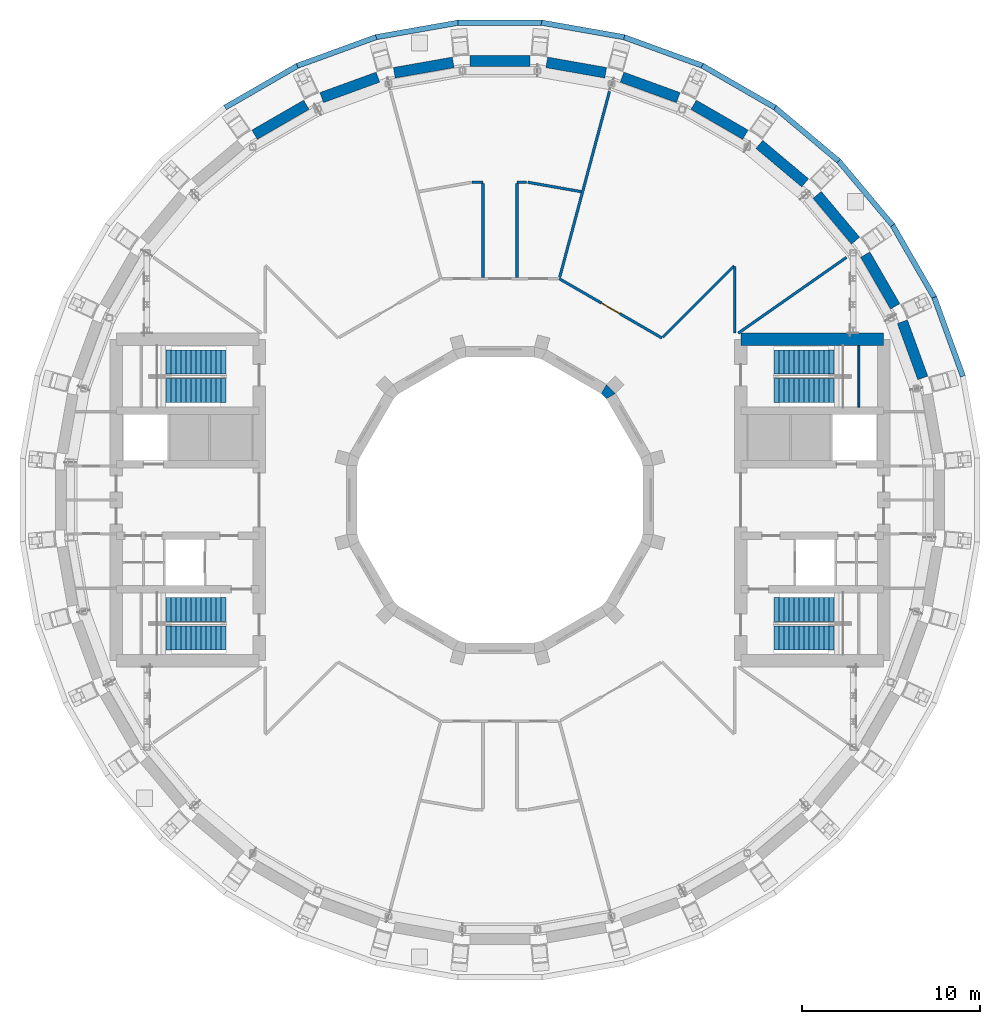
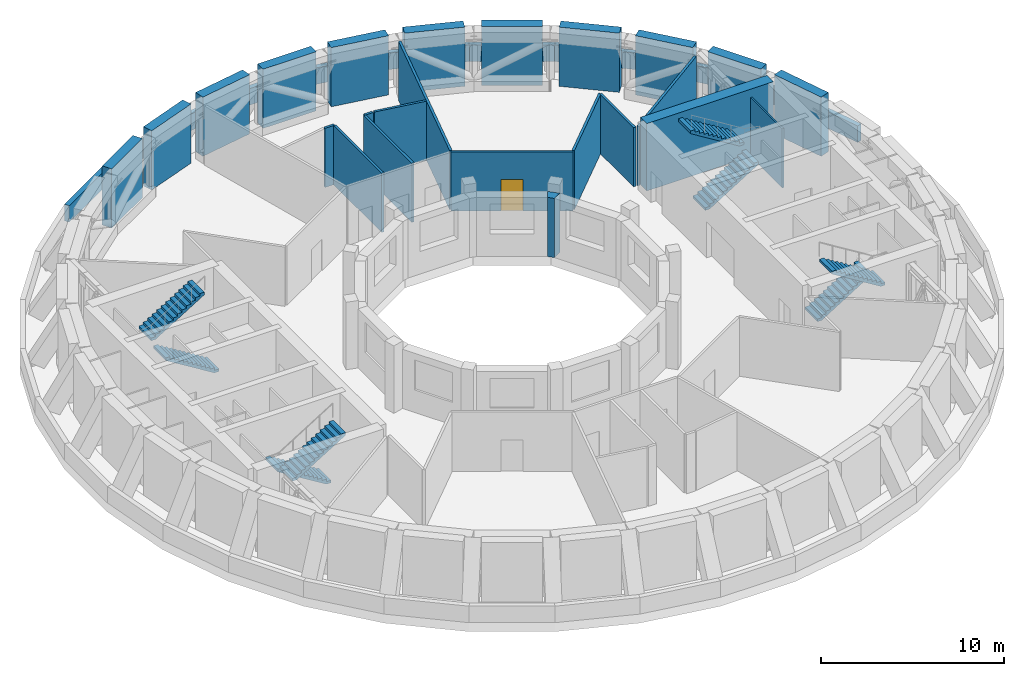
# One storey, part 14 of 20: 35 walls, 8 stair flights, 1 door, 1 opening, 4 elements without a shape of their own.
"""IFC4 building model written with IfcOpenShell, lengths in metres."""

from ifc_helpers import new_model, si_unit, direction, frame, frame_2d, origin, place, context, subcontext, project, spatial, polyline, rectangle, outline, extrude, material, layer, layer_set, type_object, element, fill, aggregate, save


model = new_model("IFC4")

# Units and contexts
model_context = context("Model", 3, precision=1e-05, world=origin(), true_north=direction((0.0, 1.0)))
body_context = subcontext(model_context, "Body", "Model", "MODEL_VIEW")
ifc_project = project(units=[si_unit("LENGTHUNIT", "METRE"), si_unit("AREAUNIT", "SQUARE_METRE"), si_unit("VOLUMEUNIT", "CUBIC_METRE"), si_unit("PLANEANGLEUNIT", "RADIAN"), si_unit("MASSUNIT", "GRAM", prefix="KILO")], contexts=[model_context])

# Site, building, storey
site_placement = place(None, origin())
site = spatial("IfcSite", under=ifc_project, at=site_placement, CompositionType="ELEMENT")
building_placement = place(site_placement, origin())
building = spatial("IfcBuilding", under=site, at=building_placement, Name="Saqina Gate Tower", CompositionType="ELEMENT")
storey_placement = place(building_placement, frame((0.0, 0.0, 151.300048828125)))
storey = spatial("IfcBuildingStorey", under=building, at=storey_placement, Name="L43", CompositionType="ELEMENT", Elevation=151.300048828125)

# Walls
ifc_material_1 = material(Name="Brick masonry (buff)", Category="masonry")
ifc_layer_1 = layer(ifc_material_1, 0.60009765625)
ifc_layer_set_1 = layer_set([ifc_layer_1], Name="FW-BRICK-BUFF")
wall_type_1 = type_object("IfcWallType", Name="FW-BRICK-BUFF", PredefinedType="SOLIDWALL", material=ifc_layer_set_1)
for number, where, z_axis, x_axis, name in (
    (1, (22.145751953125, 10.85205078125, 0.0), (0.0, 0.0, 1.0), (-0.499972744263, 0.866041139319, 0.0), "Facade wall L43 facet 3"),
    (2, (19.9248046875, 14.53271484375, 0.0), (0.0, 0.0, 1.0), (-0.642747524428, 0.766078076858, 0.0), "Facade wall L43 facet 4"),
    (3, (17.0986328125, 17.77197265625, 0.0), (0.0, 0.0, 1.0), (-0.766078076858, 0.642747524428, 0.0), "Facade wall L43 facet 5"),
    (4, (13.752685546875, 20.47119140625, 0.0), (0.0, 0.0, 1.0), (-0.866041139319, 0.499972744263, 0.0), "Facade wall L43 facet 6"),
    (5, (9.989013671875, 22.54833984375, 0.0), (0.0, 0.0, 1.0), (-0.939699748315, 0.342000559967, 0.0), "Facade wall L43 facet 7"),
):
    element("IfcWall", number, at=place(storey_placement, frame(where, z_axis=z_axis, x_axis=x_axis)), inside=storey, type_object=wall_type_1, Name=name, PredefinedType="SOLIDWALL", context=body_context, shape_type="SweptSolid", body=[
        extrude(rectangle(XDim=3.349365234375, YDim=0.60009765625, at=frame_2d((1.6748046875, 0.0))), origin(), (0.0, 0.0, 1.0), 3.949951171875),
    ])
wall_1_placement = place(storey_placement, frame((5.921875, 23.940185546875, 0.0), z_axis=(0.0, 0.0, 1.0), x_axis=(-0.984799697712, 0.173693855351, 0.0)))
element("IfcWall", 6, at=wall_1_placement, inside=storey, type_object=wall_type_1, Name="Facade wall L43 facet 8", PredefinedType="SOLIDWALL", context=body_context, shape_type="SweptSolid", body=[
    extrude(rectangle(XDim=3.349609375, YDim=0.60009765625, at=frame_2d((1.6748046875, 0.0))), origin(), (0.0, 0.0, 1.0), 3.949951171875),
])
wall_2_placement = place(storey_placement, frame((1.674560546875, 24.60498046875, 0.0), z_axis=(0.0, 0.0, 1.0), x_axis=(-1.0, 0.0, 0.0)))
element("IfcWall", 7, at=wall_2_placement, inside=storey, type_object=wall_type_1, Name="Facade wall L43 facet 9", PredefinedType="SOLIDWALL", context=body_context, shape_type="SweptSolid", body=[
    extrude(rectangle(XDim=3.34912109375, YDim=0.60009765625, at=frame_2d((1.674560546875, 0.0))), origin(), (0.0, 0.0, 1.0), 3.949951171875),
])
wall_3_placement = place(storey_placement, frame((-2.623291015625, 24.52197265625, 0.0), z_axis=(0.0, 0.0, 1.0), x_axis=(-0.984799697712, -0.173693855351, 0.0)))
element("IfcWall", 8, at=wall_3_placement, inside=storey, type_object=wall_type_1, Name="Facade wall L43 facet 10", PredefinedType="SOLIDWALL", context=body_context, shape_type="SweptSolid", body=[
    extrude(rectangle(XDim=3.349609375, YDim=0.60009765625, at=frame_2d((1.6748046875, 0.0))), origin(), (0.0, 0.0, 1.0), 3.949951171875),
])
for number, where, z_axis, x_axis, name in (
    (9, (-6.841552734375, 23.69384765625, 0.0), (0.0, 0.0, 1.0), (-0.939699748315, -0.342000559967, 0.0), "Facade wall L43 facet 11"),
    (10, (-10.85205078125, 22.145751953125, 0.0), (0.0, 0.0, 1.0), (-0.866041139319, -0.499972744263, 0.0), "Facade wall L43 facet 12"),
):
    element("IfcWall", number, at=place(storey_placement, frame(where, z_axis=z_axis, x_axis=x_axis)), inside=storey, type_object=wall_type_1, Name=name, PredefinedType="SOLIDWALL", context=body_context, shape_type="SweptSolid", body=[
        extrude(rectangle(XDim=3.349365234375, YDim=0.60009765625, at=frame_2d((1.6748046875, 0.0))), origin(), (0.0, 0.0, 1.0), 3.949951171875),
    ])
ifc_material_2 = material(Name="Glazed ceramic tile", Category="ceramic")
ifc_layer_2 = layer(ifc_material_2, 0.60009765625)
ifc_layer_set_2 = layer_set([ifc_layer_2], Name="FW-TILE")
wall_type_2 = type_object("IfcWallType", Name="FW-TILE", PredefinedType="SOLIDWALL", material=ifc_layer_set_2)
wall_4_placement = place(storey_placement, frame((23.69384765625, 6.841552734375, 0.0), z_axis=(0.0, 0.0, 1.0), x_axis=(-0.342000559967, 0.939699748315, 0.0)))
element("IfcWall", 11, at=wall_4_placement, inside=storey, type_object=wall_type_2, Name="Facade wall L43 facet 2", PredefinedType="SOLIDWALL", context=body_context, shape_type="SweptSolid", body=[
    extrude(rectangle(XDim=3.349365234375, YDim=0.60009765625, at=frame_2d((1.6748046875, 0.0))), origin(), (0.0, 0.0, 1.0), 3.949951171875),
])
ifc_material_3 = material(Name="Brick masonry (buff)", Category="masonry")
ifc_layer_3 = layer(ifc_material_3, 0.300048828125)
ifc_layer_set_3 = layer_set([ifc_layer_3], Name="PA-ROOF")
wall_type_3 = type_object("IfcWallType", Name="PA-ROOF", PredefinedType="PARAPET", material=ifc_layer_set_3)
for number, where, z_axis, x_axis, name in (
    (12, (25.93896484375, 6.936767578125, 0.0), (0.0, 0.0, 1.0), (-0.342005449033, 0.939697968941, 0.0), "Parapet L43 edge 2"),
    (13, (24.34033203125, 11.335693359375, 0.0), (0.0, 0.0, 1.0), (-0.499966433809, 0.866044782366, 0.0), "Parapet L43 edge 3"),
):
    element("IfcWall", number, at=place(storey_placement, frame(where, z_axis=z_axis, x_axis=x_axis)), inside=storey, type_object=wall_type_3, Name=name, PredefinedType="PARAPET", context=body_context, shape_type="SweptSolid", body=[
        extrude(rectangle(XDim=4.706298828125, YDim=0.300048828125, at=frame_2d((2.35302734375, 0.0))), origin(), (0.0, 0.0, 1.0), 1.099853515625),
    ])
for number, where, z_axis, x_axis, name in (
    (14, (22.002197265625, 15.39013671875, 0.0), (0.0, 0.0, 1.0), (-0.642762546038, 0.766065473319, 0.0), "Parapet L43 edge 4"),
    (15, (18.99560546875, 18.97705078125, 0.0), (0.0, 0.0, 1.0), (-0.766065473319, 0.642762546038, 0.0), "Parapet L43 edge 5"),
):
    element("IfcWall", number, at=place(storey_placement, frame(where, z_axis=z_axis, x_axis=x_axis)), inside=storey, type_object=wall_type_3, Name=name, PredefinedType="PARAPET", context=body_context, shape_type="SweptSolid", body=[
        extrude(rectangle(XDim=4.70654296875, YDim=0.300048828125, at=frame_2d((2.353271484375, 0.0))), origin(), (0.0, 0.0, 1.0), 1.099853515625),
    ])
for number, where, z_axis, x_axis, name in (
    (16, (15.41162109375, 21.9873046875, 0.0), (0.0, 0.0, 1.0), (-0.866044782366, 0.499966433809, 0.0), "Parapet L43 edge 6"),
    (17, (11.359375, 24.329345703125, 0.0), (0.0, 0.0, 1.0), (-0.939697968941, 0.342005449033, 0.0), "Parapet L43 edge 7"),
):
    element("IfcWall", number, at=place(storey_placement, frame(where, z_axis=z_axis, x_axis=x_axis)), inside=storey, type_object=wall_type_3, Name=name, PredefinedType="PARAPET", context=body_context, shape_type="SweptSolid", body=[
        extrude(rectangle(XDim=4.706298828125, YDim=0.300048828125, at=frame_2d((2.35302734375, 0.0))), origin(), (0.0, 0.0, 1.0), 1.099853515625),
    ])
for number, where, z_axis, x_axis, name in (
    (18, (6.962158203125, 25.932373046875, 0.0), (0.0, 0.0, 1.0), (-0.984812788829, 0.173619615708, 0.0), "Parapet L43 edge 8"),
    (19, (2.353271484375, 26.747314453125, 0.0), (0.0, 0.0, 1.0), (-1.0, 0.0, 0.0), "Parapet L43 edge 9"),
    (20, (-2.3271484375, 26.74951171875, 0.0), (0.0, 0.0, 1.0), (-0.984812788829, -0.173619615708, 0.0), "Parapet L43 edge 10"),
):
    element("IfcWall", number, at=place(storey_placement, frame(where, z_axis=z_axis, x_axis=x_axis)), inside=storey, type_object=wall_type_3, Name=name, PredefinedType="PARAPET", context=body_context, shape_type="SweptSolid", body=[
        extrude(rectangle(XDim=4.70654296875, YDim=0.300048828125, at=frame_2d((2.353271484375, 0.0))), origin(), (0.0, 0.0, 1.0), 1.099853515625),
    ])
for number, where, z_axis, x_axis, name in (
    (21, (-6.936767578125, 25.93896484375, 0.0), (0.0, 0.0, 1.0), (-0.939697968941, -0.342005449033, 0.0), "Parapet L43 edge 11"),
    (22, (-11.335693359375, 24.34033203125, 0.0), (0.0, 0.0, 1.0), (-0.866044782366, -0.499966433809, 0.0), "Parapet L43 edge 12"),
):
    element("IfcWall", number, at=place(storey_placement, frame(where, z_axis=z_axis, x_axis=x_axis)), inside=storey, type_object=wall_type_3, Name=name, PredefinedType="PARAPET", context=body_context, shape_type="SweptSolid", body=[
        extrude(rectangle(XDim=4.706298828125, YDim=0.300048828125, at=frame_2d((2.35302734375, 0.0))), origin(), (0.0, 0.0, 1.0), 1.099853515625),
    ])

# Wall, opening, door
ifc_material_4 = material(Name="Masonry block and plaster, 150 mm, fire rated", Category="masonry")
ifc_layer_4 = layer(ifc_material_4, 0.14990234375)
ifc_layer_set_4 = layer_set([ifc_layer_4], Name="SPECIAL PARTITION EI 60 150")
wall_type_4 = type_object("IfcWallType", Name="SPECIAL PARTITION EI 60 150", PredefinedType="PARTITIONING", material=ifc_layer_set_4)
wall_5_placement = place(storey_placement, frame((3.322998046875, 12.39990234375, 0.0), z_axis=(0.0, 0.0, 1.0), x_axis=(0.865961614908, -0.500110469302, 0.0)))
wall_5 = element("IfcWall", 23, at=wall_5_placement, inside=storey, type_object=wall_type_4, Name="PARTITION 008", PredefinedType="PARTITIONING", context=body_context, shape_type="SweptSolid", body=[
    extrude(rectangle(XDim=6.64453125, YDim=0.14990234375, at=frame_2d((3.322265625, 0.0))), origin(), (0.0, 0.0, 1.0), 3.949951171875),
])
opening_placement = place(wall_5_placement, frame((2.722412109375, 0.0, 0.0)))
opening = element("IfcOpeningElement", 24, at=opening_placement, cuts=wall_5, Name="Opening L43-D01", PredefinedType="OPENING", context=body_context, shape_type="SweptSolid", body=[
    extrude(rectangle(XDim=1.199951171875, YDim=2.10009765625, at=frame_2d((0.60009765625, 1.050048828125))), frame((0.0, 0.0869140625, 0.0), z_axis=(0.0, -1.0, 0.0), x_axis=(1.0, 0.0, 0.0)), (0.0, 0.0, 1.0), 0.173828125),
])
ifc_material_5 = material(Name="Steel-framed fire door leaf, EI 60", Category="steel")
door_type = type_object("IfcDoorType", Name="SPECIAL DOOR 1200 FIRE EI 60", OperationType="SINGLE_SWING_LEFT", PredefinedType="DOOR", material=ifc_material_5)
door_placement = place(opening_placement, frame((1.199951171875, 0.0, 0.0), z_axis=(0.0, 0.0, 1.0), x_axis=(-1.0, 0.0, 0.0)))
door = element("IfcDoor", 25, at=door_placement, inside=storey, type_object=door_type, Name="DOOR L43-D01", OperationType="SINGLE_SWING_RIGHT", OverallHeight=2.10009765625, OverallWidth=1.199951171875, PredefinedType="DOOR", context=body_context, shape_type="SweptSolid", body=[
    extrude(rectangle(XDim=1.199951171875, YDim=2.10009765625, at=frame_2d((0.60009765625, 1.050048828125))), frame((0.0, 0.02490234375, 0.0), z_axis=(0.0, -1.0, 0.0), x_axis=(1.0, 0.0, 0.0)), (0.0, 0.0, 1.0), 0.050048828125),
])
fill(opening, door)

# Walls
wall_6_placement = place(storey_placement, frame((1.55810546875, 17.804931640625, 0.0), z_axis=(0.0, 0.0, 1.0), x_axis=(0.984811842059, -0.173624985936, 0.0)))
element("IfcWall", 26, at=wall_6_placement, inside=storey, type_object=wall_type_4, Name="PARTITION 010", PredefinedType="PARTITIONING", context=body_context, shape_type="SweptSolid", body=[
    extrude(rectangle(XDim=3.0400390625, YDim=0.14990234375, at=frame_2d((1.52001953125, 0.0))), origin(), (0.0, 0.0, 1.0), 3.949951171875),
])
wall_7_placement = place(storey_placement, frame((-1.55810546875, 17.804931640625, 0.0), z_axis=(0.0, 0.0, 1.0), x_axis=(1.0, 0.0, 0.0)))
element("IfcWall", 27, at=wall_7_placement, inside=storey, type_object=wall_type_4, Name="PARTITION 015", PredefinedType="PARTITIONING", context=body_context, shape_type="SweptSolid", body=[
    extrude(rectangle(XDim=0.608154296875, YDim=0.14990234375, at=frame_2d((0.30419921875, 0.0))), origin(), (0.0, 0.0, 1.0), 3.949951171875),
])
wall_8_placement = place(storey_placement, frame((0.949951171875, 17.804931640625, 0.0), z_axis=(0.0, 0.0, 1.0), x_axis=(1.0, 0.0, 0.0)))
element("IfcWall", 28, at=wall_8_placement, inside=storey, type_object=wall_type_4, Name="PARTITION 016", PredefinedType="PARTITIONING", context=body_context, shape_type="SweptSolid", body=[
    extrude(rectangle(XDim=0.532958984375, YDim=0.14990234375, at=frame_2d((0.2666015625, 0.0))), origin(), (0.0, 0.0, 1.0), 3.949951171875),
])
wall_9_placement = place(storey_placement, frame((13.35302734375, 9.35009765625, 0.0), z_axis=(0.0, 0.0, 1.0), x_axis=(0.819157506644, 0.573568635221, 0.0)))
element("IfcWall", 29, at=wall_9_placement, inside=storey, type_object=wall_type_4, Name="PARTITION 022", PredefinedType="PARTITIONING", context=body_context, shape_type="SweptSolid", body=[
    extrude(rectangle(XDim=7.399169921875, YDim=0.14990234375, at=frame_2d((3.69970703125, 0.0))), origin(), (0.0, 0.0, 1.0), 3.949951171875),
])
wall_10_placement = place(storey_placement, frame((9.1298828125, 9.1298828125, 0.0), z_axis=(0.0, 0.0, 1.0), x_axis=(0.707106781187, 0.707106781187, 0.0)))
element("IfcWall", 30, at=wall_10_placement, inside=storey, type_object=wall_type_4, Name="PARTITION 024", PredefinedType="PARTITIONING", context=body_context, shape_type="SweptSolid", body=[
    extrude(rectangle(XDim=5.64501953125, YDim=0.14990234375, at=frame_2d((2.822509765625, 0.0))), origin(), (0.0, 0.0, 1.0), 3.949951171875),
])
wall_11_placement = place(storey_placement, frame((3.34228515625, 12.472412109375, 0.0), z_axis=(0.0, 0.0, 1.0), x_axis=(0.258802076295, 0.965930372908, 0.0)))
element("IfcWall", 31, at=wall_11_placement, inside=storey, type_object=wall_type_4, Name="PARTITION 026", PredefinedType="PARTITIONING", context=body_context, shape_type="SweptSolid", body=[
    extrude(rectangle(XDim=10.787109375, YDim=0.14990234375, at=frame_2d((5.3935546875, 0.0))), origin(), (0.0, 0.0, 1.0), 3.949951171875),
])
wall_12_placement = place(storey_placement, frame((13.14990234375, 9.35009765625, 0.0), z_axis=(0.0, 0.0, 1.0), x_axis=(0.0, 1.0, 0.0)))
element("IfcWall", 32, at=wall_12_placement, inside=storey, type_object=wall_type_4, Name="PARTITION 028", PredefinedType="PARTITIONING", context=body_context, shape_type="SweptSolid", body=[
    extrude(rectangle(XDim=3.724853515625, YDim=0.14990234375, at=frame_2d((1.8623046875, 0.0))), origin(), (0.0, 0.0, 1.0), 3.949951171875),
])
for number, where, z_axis, x_axis, name in (
    (33, (0.949951171875, 12.47509765625, 0.0), (0.0, 0.0, 1.0), (0.0, 1.0, 0.0), "PARTITION 030"),
    (34, (-0.949951171875, 12.47509765625, 0.0), (0.0, 0.0, 1.0), (0.0, 1.0, 0.0), "PARTITION 032"),
):
    element("IfcWall", number, at=place(storey_placement, frame(where, z_axis=z_axis, x_axis=x_axis)), inside=storey, type_object=wall_type_4, Name=name, PredefinedType="PARTITIONING", context=body_context, shape_type="SweptSolid", body=[
        extrude(rectangle(XDim=5.2548828125, YDim=0.14990234375, at=frame_2d((2.62744140625, 0.0))), origin(), (0.0, 0.0, 1.0), 3.949951171875),
    ])
ifc_material_6 = material(Name="Autoclaved aerated concrete block", Category="concrete")
ifc_layer_5 = layer(ifc_material_6, 0.10009765625)
ifc_layer_set_5 = layer_set([ifc_layer_5], Name="STAIR ENCLOSURE WALL")
wall_type_5 = type_object("IfcWallType", Name="STAIR ENCLOSURE WALL", PredefinedType="PARTITIONING", material=ifc_layer_set_5)
wall_13_placement = place(storey_placement, frame((20.110107421875, 5.199951171875, 0.0), z_axis=(0.0, 0.0, 1.0), x_axis=(0.0, 1.0, 0.0)))
element("IfcWall", 35, at=wall_13_placement, inside=storey, type_object=wall_type_5, Name="L43-CP-E13", PredefinedType="PARTITIONING", context=body_context, shape_type="SweptSolid", body=[
    extrude(rectangle(XDim=3.449951171875, YDim=0.10009765625, at=frame_2d((1.72509765625, 0.0))), origin(), (0.0, 0.0, 1.0), 3.949951171875),
])
ifc_material_7 = material(Name="Concrete C60/75", Category="concrete")
ifc_layer_6 = layer(ifc_material_7, 0.699951171875)
ifc_layer_set_6 = layer_set([ifc_layer_6], Name="Concrete C60/75")
wall_type_6 = type_object("IfcWallType", Name="STR-CORE WALL-C-O", PredefinedType="SHEAR", material=ifc_layer_set_6)
wall_14_placement = place(storey_placement, frame((13.5, 9.0, 0.0), z_axis=(0.0, 0.0, 1.0), x_axis=(1.0, 0.0, 0.0)))
element("IfcWall", 36, at=wall_14_placement, inside=storey, type_object=wall_type_6, Name="CORE WALL L43 E-NE", PredefinedType="SHEAR", context=body_context, shape_type="SweptSolid", body=[
    extrude(rectangle(XDim=8.0, YDim=0.699951171875, at=frame_2d((4.0, 0.0))), origin(), (0.0, 0.0, 1.0), 4.5),
])
ifc_material_8 = material(Name="Glazed ceramic tile", Category="ceramic")
wall_type_7 = type_object("IfcWallType", Name="TILE PIER COPING", PredefinedType="SOLIDWALL", material=ifc_material_8)
wall_15_placement = place(storey_placement, origin())
element("IfcWall", 37, at=wall_15_placement, inside=storey, type_object=wall_type_7, Name="Well pier cap L43 column 2", PredefinedType="SOLIDWALL", context=body_context, shape_type="SweptSolid", body=[
    extrude(outline(polyline([(5.96240234375, 6.45751953125), (5.67578125, 5.960693359375), (5.960693359375, 5.67578125), (6.45751953125, 5.96240234375), (5.96240234375, 6.45751953125)])), origin(), (0.0, 0.0, 1.0), 3.949951171875),
])

# Stair, stair flights
ifc_material_9 = material(Name="Concrete C40/50", Category="concrete")
stair_type = type_object("IfcStairType", Name="EXIT STAIR", PredefinedType="HALF_TURN_STAIR", material=ifc_material_9)
stair_1_placement = place(storey_placement, origin())
stair_1 = element("IfcStair", 38, at=stair_1_placement, inside=storey, type_object=stair_type, Name="EXIT STAIR 1", PredefinedType="HALF_TURN_STAIR")
ifc_material_10 = material(Name="Concrete C40/50", Category="concrete")
stair_flight_type = type_object("IfcStairFlightType", Name="EXIT STAIR FLIGHT", PredefinedType="STRAIGHT", material=ifc_material_10)
stair_flight_1_placement = place(storey_placement, frame((15.35009765625, 6.125, 0.0), z_axis=(0.0, 0.0, 1.0), x_axis=(1.0, 0.0, 0.0)))
stair_flight_1 = element("IfcStairFlight", 39, at=stair_flight_1_placement, type_object=stair_flight_type, Name="EXIT STAIR 1 FLIGHT 1", NumberOfRisers=13, NumberOfTreads=12, PredefinedType="STRAIGHT", RiserHeight=0.173076923, TreadLength=0.28, context=body_context, shape_type="SweptSolid", body=[
    extrude(outline(polyline([(0.0, 0.0), (0.0, 0.173095703125), (0.280029296875, 0.173095703125), (0.280029296875, 0.34619140625), (0.56005859375, 0.34619140625), (0.56005859375, 0.519287109375), (0.840087890625, 0.519287109375), (0.840087890625, 0.6923828125), (1.1201171875, 0.6923828125), (1.1201171875, 0.865478515625), (1.39990234375, 0.865478515625), (1.39990234375, 1.03857421875), (1.679931640625, 1.03857421875), (1.679931640625, 1.21142578125), (1.9599609375, 1.21142578125), (1.9599609375, 1.384521484375), (2.239990234375, 1.384521484375), (2.239990234375, 1.5576171875), (2.52001953125, 1.5576171875), (2.52001953125, 1.730712890625), (2.800048828125, 1.730712890625), (2.800048828125, 1.90380859375), (3.080078125, 1.90380859375), (3.080078125, 2.076904296875), (3.360107421875, 2.076904296875), (3.360107421875, 2.25), (3.360107421875, 1.900634765625), (0.28515625, 0.0), (0.0, 0.0)])), frame((0.0, 0.675048828125, 0.0), z_axis=(0.0, -1.0, 0.0), x_axis=(1.0, 0.0, 0.0)), (0.0, 0.0, 1.0), 1.35009765625),
])
stair_flight_2_placement = place(storey_placement, frame((18.7099609375, 7.72509765625, 2.25), z_axis=(0.0, 0.0, 1.0), x_axis=(-1.0, 0.0, 0.0)))
stair_flight_2 = element("IfcStairFlight", 40, at=stair_flight_2_placement, type_object=stair_flight_type, Name="EXIT STAIR 1 FLIGHT 2", NumberOfRisers=13, NumberOfTreads=12, PredefinedType="STRAIGHT", RiserHeight=0.173076923, TreadLength=0.28, context=body_context, shape_type="SweptSolid", body=[
    extrude(outline(polyline([(0.0, 0.0), (0.0, 0.173095703125), (0.280029296875, 0.173095703125), (0.280029296875, 0.34619140625), (0.56005859375, 0.34619140625), (0.56005859375, 0.519287109375), (0.840087890625, 0.519287109375), (0.840087890625, 0.6923828125), (1.1201171875, 0.6923828125), (1.1201171875, 0.865478515625), (1.39990234375, 0.865478515625), (1.39990234375, 1.03857421875), (1.679931640625, 1.03857421875), (1.679931640625, 1.21142578125), (1.9599609375, 1.21142578125), (1.9599609375, 1.384521484375), (2.239990234375, 1.384521484375), (2.239990234375, 1.5576171875), (2.52001953125, 1.5576171875), (2.52001953125, 1.730712890625), (2.800048828125, 1.730712890625), (2.800048828125, 1.90380859375), (3.080078125, 1.90380859375), (3.080078125, 2.076904296875), (3.360107421875, 2.076904296875), (3.360107421875, 2.25), (3.360107421875, 1.900634765625), (0.28515625, 0.0), (0.0, 0.0)])), frame((0.0, 0.675048828125, 0.0), z_axis=(0.0, -1.0, 0.0), x_axis=(1.0, 0.0, 0.0)), (0.0, 0.0, 1.0), 1.35009765625),
])
aggregate(stair_1, [stair_flight_1, stair_flight_2])

stair_2_placement = place(storey_placement, origin())
stair_2 = element("IfcStair", 41, at=stair_2_placement, inside=storey, type_object=stair_type, Name="EXIT STAIR 2", PredefinedType="HALF_TURN_STAIR")
stair_flight_3_placement = place(storey_placement, frame((15.35009765625, -6.125, 0.0), z_axis=(0.0, 0.0, 1.0), x_axis=(1.0, 0.0, 0.0)))
stair_flight_3 = element("IfcStairFlight", 42, at=stair_flight_3_placement, type_object=stair_flight_type, Name="EXIT STAIR 2 FLIGHT 1", NumberOfRisers=13, NumberOfTreads=12, PredefinedType="STRAIGHT", RiserHeight=0.173076923, TreadLength=0.28, context=body_context, shape_type="SweptSolid", body=[
    extrude(outline(polyline([(0.0, 0.0), (0.0, 0.173095703125), (0.280029296875, 0.173095703125), (0.280029296875, 0.34619140625), (0.56005859375, 0.34619140625), (0.56005859375, 0.519287109375), (0.840087890625, 0.519287109375), (0.840087890625, 0.6923828125), (1.1201171875, 0.6923828125), (1.1201171875, 0.865478515625), (1.39990234375, 0.865478515625), (1.39990234375, 1.03857421875), (1.679931640625, 1.03857421875), (1.679931640625, 1.21142578125), (1.9599609375, 1.21142578125), (1.9599609375, 1.384521484375), (2.239990234375, 1.384521484375), (2.239990234375, 1.5576171875), (2.52001953125, 1.5576171875), (2.52001953125, 1.730712890625), (2.800048828125, 1.730712890625), (2.800048828125, 1.90380859375), (3.080078125, 1.90380859375), (3.080078125, 2.076904296875), (3.360107421875, 2.076904296875), (3.360107421875, 2.25), (3.360107421875, 1.900634765625), (0.28515625, 0.0), (0.0, 0.0)])), frame((0.0, 0.675048828125, 0.0), z_axis=(0.0, -1.0, 0.0), x_axis=(1.0, 0.0, 0.0)), (0.0, 0.0, 1.0), 1.35009765625),
])
stair_flight_4_placement = place(storey_placement, frame((18.7099609375, -7.72509765625, 2.25), z_axis=(0.0, 0.0, 1.0), x_axis=(-1.0, 0.0, 0.0)))
stair_flight_4 = element("IfcStairFlight", 43, at=stair_flight_4_placement, type_object=stair_flight_type, Name="EXIT STAIR 2 FLIGHT 2", NumberOfRisers=13, NumberOfTreads=12, PredefinedType="STRAIGHT", RiserHeight=0.173076923, TreadLength=0.28, context=body_context, shape_type="SweptSolid", body=[
    extrude(outline(polyline([(0.0, 0.0), (0.0, 0.173095703125), (0.280029296875, 0.173095703125), (0.280029296875, 0.34619140625), (0.56005859375, 0.34619140625), (0.56005859375, 0.519287109375), (0.840087890625, 0.519287109375), (0.840087890625, 0.6923828125), (1.1201171875, 0.6923828125), (1.1201171875, 0.865478515625), (1.39990234375, 0.865478515625), (1.39990234375, 1.03857421875), (1.679931640625, 1.03857421875), (1.679931640625, 1.21142578125), (1.9599609375, 1.21142578125), (1.9599609375, 1.384521484375), (2.239990234375, 1.384521484375), (2.239990234375, 1.5576171875), (2.52001953125, 1.5576171875), (2.52001953125, 1.730712890625), (2.800048828125, 1.730712890625), (2.800048828125, 1.90380859375), (3.080078125, 1.90380859375), (3.080078125, 2.076904296875), (3.360107421875, 2.076904296875), (3.360107421875, 2.25), (3.360107421875, 1.900634765625), (0.28515625, 0.0), (0.0, 0.0)])), frame((0.0, 0.675048828125, 0.0), z_axis=(0.0, -1.0, 0.0), x_axis=(1.0, 0.0, 0.0)), (0.0, 0.0, 1.0), 1.35009765625),
])
aggregate(stair_2, [stair_flight_3, stair_flight_4])

stair_3_placement = place(storey_placement, origin())
stair_3 = element("IfcStair", 44, at=stair_3_placement, inside=storey, type_object=stair_type, Name="EXIT STAIR 3", PredefinedType="HALF_TURN_STAIR")
stair_flight_5_placement = place(storey_placement, frame((-15.35009765625, 6.125, 0.0), z_axis=(0.0, 0.0, 1.0), x_axis=(-1.0, 0.0, 0.0)))
stair_flight_5 = element("IfcStairFlight", 45, at=stair_flight_5_placement, type_object=stair_flight_type, Name="EXIT STAIR 3 FLIGHT 1", NumberOfRisers=13, NumberOfTreads=12, PredefinedType="STRAIGHT", RiserHeight=0.173076923, TreadLength=0.28, context=body_context, shape_type="SweptSolid", body=[
    extrude(outline(polyline([(0.0, 0.0), (0.0, 0.173095703125), (0.280029296875, 0.173095703125), (0.280029296875, 0.34619140625), (0.56005859375, 0.34619140625), (0.56005859375, 0.519287109375), (0.840087890625, 0.519287109375), (0.840087890625, 0.6923828125), (1.1201171875, 0.6923828125), (1.1201171875, 0.865478515625), (1.39990234375, 0.865478515625), (1.39990234375, 1.03857421875), (1.679931640625, 1.03857421875), (1.679931640625, 1.21142578125), (1.9599609375, 1.21142578125), (1.9599609375, 1.384521484375), (2.239990234375, 1.384521484375), (2.239990234375, 1.5576171875), (2.52001953125, 1.5576171875), (2.52001953125, 1.730712890625), (2.800048828125, 1.730712890625), (2.800048828125, 1.90380859375), (3.080078125, 1.90380859375), (3.080078125, 2.076904296875), (3.360107421875, 2.076904296875), (3.360107421875, 2.25), (3.360107421875, 1.900634765625), (0.28515625, 0.0), (0.0, 0.0)])), frame((0.0, 0.675048828125, 0.0), z_axis=(0.0, -1.0, 0.0), x_axis=(1.0, 0.0, 0.0)), (0.0, 0.0, 1.0), 1.35009765625),
])
stair_flight_6_placement = place(storey_placement, frame((-18.7099609375, 7.72509765625, 2.25), z_axis=(0.0, 0.0, 1.0), x_axis=(1.0, 0.0, 0.0)))
stair_flight_6 = element("IfcStairFlight", 46, at=stair_flight_6_placement, type_object=stair_flight_type, Name="EXIT STAIR 3 FLIGHT 2", NumberOfRisers=13, NumberOfTreads=12, PredefinedType="STRAIGHT", RiserHeight=0.173076923, TreadLength=0.28, context=body_context, shape_type="SweptSolid", body=[
    extrude(outline(polyline([(0.0, 0.0), (0.0, 0.173095703125), (0.280029296875, 0.173095703125), (0.280029296875, 0.34619140625), (0.56005859375, 0.34619140625), (0.56005859375, 0.519287109375), (0.840087890625, 0.519287109375), (0.840087890625, 0.6923828125), (1.1201171875, 0.6923828125), (1.1201171875, 0.865478515625), (1.39990234375, 0.865478515625), (1.39990234375, 1.03857421875), (1.679931640625, 1.03857421875), (1.679931640625, 1.21142578125), (1.9599609375, 1.21142578125), (1.9599609375, 1.384521484375), (2.239990234375, 1.384521484375), (2.239990234375, 1.5576171875), (2.52001953125, 1.5576171875), (2.52001953125, 1.730712890625), (2.800048828125, 1.730712890625), (2.800048828125, 1.90380859375), (3.080078125, 1.90380859375), (3.080078125, 2.076904296875), (3.360107421875, 2.076904296875), (3.360107421875, 2.25), (3.360107421875, 1.900634765625), (0.28515625, 0.0), (0.0, 0.0)])), frame((0.0, 0.675048828125, 0.0), z_axis=(0.0, -1.0, 0.0), x_axis=(1.0, 0.0, 0.0)), (0.0, 0.0, 1.0), 1.35009765625),
])
aggregate(stair_3, [stair_flight_5, stair_flight_6])

stair_4_placement = place(storey_placement, origin())
stair_4 = element("IfcStair", 47, at=stair_4_placement, inside=storey, type_object=stair_type, Name="EXIT STAIR 4", PredefinedType="HALF_TURN_STAIR")
stair_flight_7_placement = place(storey_placement, frame((-15.35009765625, -6.125, 0.0), z_axis=(0.0, 0.0, 1.0), x_axis=(-1.0, 0.0, 0.0)))
stair_flight_7 = element("IfcStairFlight", 48, at=stair_flight_7_placement, type_object=stair_flight_type, Name="EXIT STAIR 4 FLIGHT 1", NumberOfRisers=13, NumberOfTreads=12, PredefinedType="STRAIGHT", RiserHeight=0.173076923, TreadLength=0.28, context=body_context, shape_type="SweptSolid", body=[
    extrude(outline(polyline([(0.0, 0.0), (0.0, 0.173095703125), (0.280029296875, 0.173095703125), (0.280029296875, 0.34619140625), (0.56005859375, 0.34619140625), (0.56005859375, 0.519287109375), (0.840087890625, 0.519287109375), (0.840087890625, 0.6923828125), (1.1201171875, 0.6923828125), (1.1201171875, 0.865478515625), (1.39990234375, 0.865478515625), (1.39990234375, 1.03857421875), (1.679931640625, 1.03857421875), (1.679931640625, 1.21142578125), (1.9599609375, 1.21142578125), (1.9599609375, 1.384521484375), (2.239990234375, 1.384521484375), (2.239990234375, 1.5576171875), (2.52001953125, 1.5576171875), (2.52001953125, 1.730712890625), (2.800048828125, 1.730712890625), (2.800048828125, 1.90380859375), (3.080078125, 1.90380859375), (3.080078125, 2.076904296875), (3.360107421875, 2.076904296875), (3.360107421875, 2.25), (3.360107421875, 1.900634765625), (0.28515625, 0.0), (0.0, 0.0)])), frame((0.0, 0.675048828125, 0.0), z_axis=(0.0, -1.0, 0.0), x_axis=(1.0, 0.0, 0.0)), (0.0, 0.0, 1.0), 1.35009765625),
])
stair_flight_8_placement = place(storey_placement, frame((-18.7099609375, -7.72509765625, 2.25), z_axis=(0.0, 0.0, 1.0), x_axis=(1.0, 0.0, 0.0)))
stair_flight_8 = element("IfcStairFlight", 49, at=stair_flight_8_placement, type_object=stair_flight_type, Name="EXIT STAIR 4 FLIGHT 2", NumberOfRisers=13, NumberOfTreads=12, PredefinedType="STRAIGHT", RiserHeight=0.173076923, TreadLength=0.28, context=body_context, shape_type="SweptSolid", body=[
    extrude(outline(polyline([(0.0, 0.0), (0.0, 0.173095703125), (0.280029296875, 0.173095703125), (0.280029296875, 0.34619140625), (0.56005859375, 0.34619140625), (0.56005859375, 0.519287109375), (0.840087890625, 0.519287109375), (0.840087890625, 0.6923828125), (1.1201171875, 0.6923828125), (1.1201171875, 0.865478515625), (1.39990234375, 0.865478515625), (1.39990234375, 1.03857421875), (1.679931640625, 1.03857421875), (1.679931640625, 1.21142578125), (1.9599609375, 1.21142578125), (1.9599609375, 1.384521484375), (2.239990234375, 1.384521484375), (2.239990234375, 1.5576171875), (2.52001953125, 1.5576171875), (2.52001953125, 1.730712890625), (2.800048828125, 1.730712890625), (2.800048828125, 1.90380859375), (3.080078125, 1.90380859375), (3.080078125, 2.076904296875), (3.360107421875, 2.076904296875), (3.360107421875, 2.25), (3.360107421875, 1.900634765625), (0.28515625, 0.0), (0.0, 0.0)])), frame((0.0, 0.675048828125, 0.0), z_axis=(0.0, -1.0, 0.0), x_axis=(1.0, 0.0, 0.0)), (0.0, 0.0, 1.0), 1.35009765625),
])
aggregate(stair_4, [stair_flight_7, stair_flight_8])

save(model, "model.ifc")
